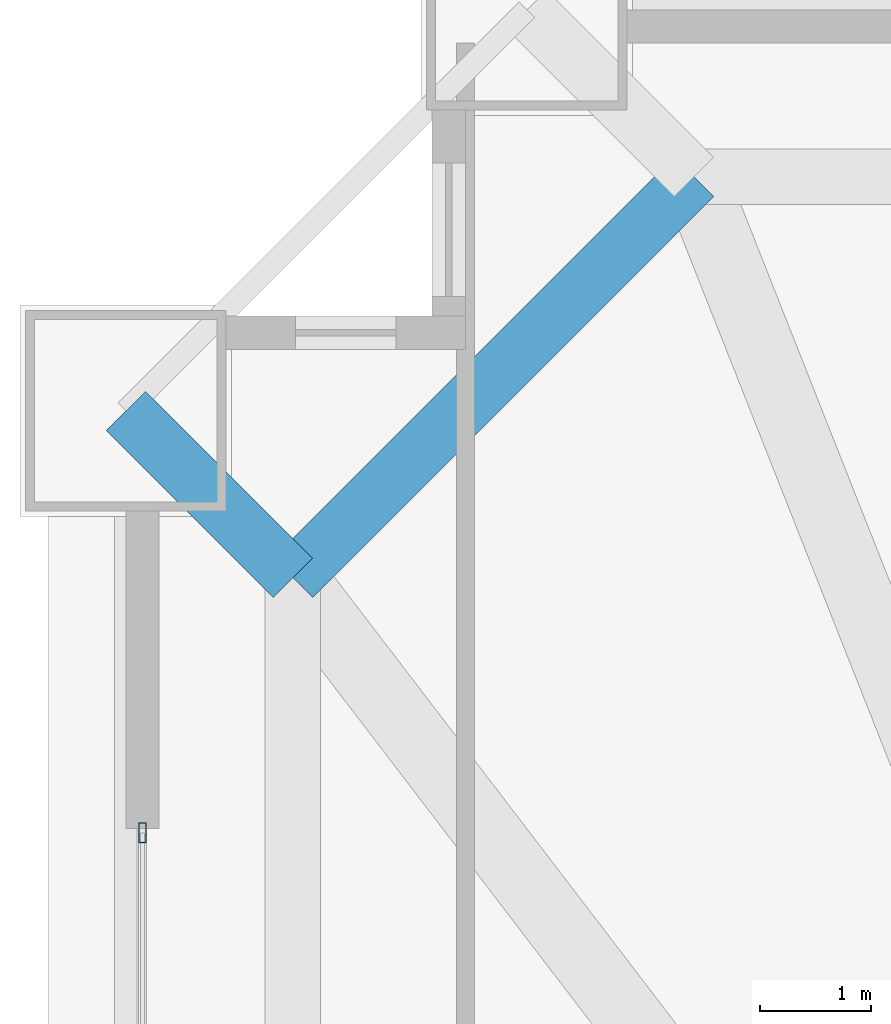
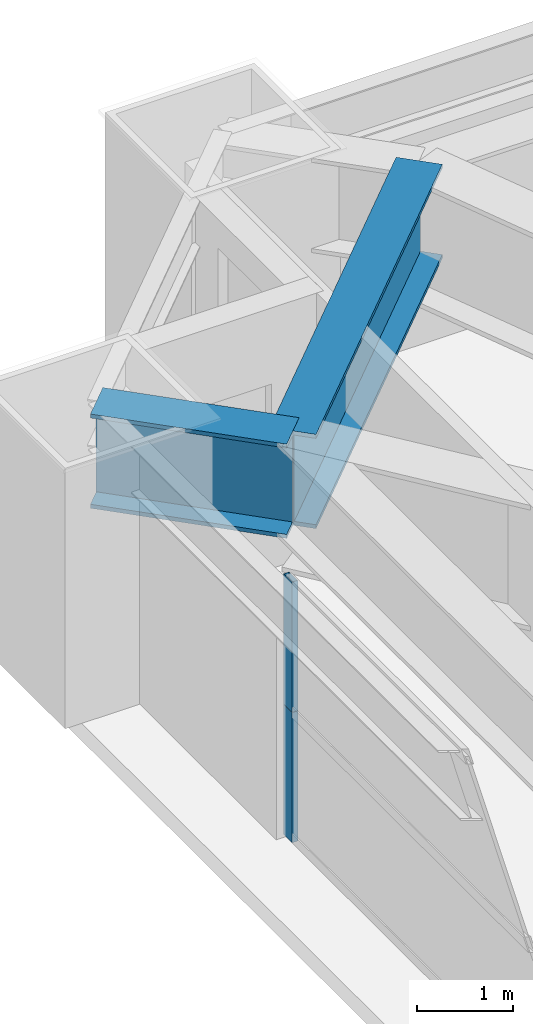
# One storey, part 24 of 44: 2 beams, 2 members, 1 element without a shape of its own.
"""IFC4 building model written with IfcOpenShell, lengths in metres."""

from ifc_helpers import new_model, si_unit, direction, frame, origin, origin_2d, place, context, subcontext, project, spatial, hollow_rectangle, i_section, extrude, source, transform, mapped, material, layer, layer_set, material_profile, profile_set, type_object, element, aggregate, save


model = new_model("IFC4")

# Units and contexts
model_context = context("Model", 3, precision=1e-05, world=origin(), true_north=direction((0.0, 1.0)))
body_context = subcontext(model_context, "Body", "Model", "MODEL_VIEW")
ifc_project = project(units=[si_unit("LENGTHUNIT", "METRE"), si_unit("AREAUNIT", "SQUARE_METRE"), si_unit("VOLUMEUNIT", "CUBIC_METRE"), si_unit("PLANEANGLEUNIT", "RADIAN"), si_unit("MASSUNIT", "GRAM", prefix="KILO"), si_unit("THERMODYNAMICTEMPERATUREUNIT", "KELVIN"), si_unit("POWERUNIT", "WATT")], contexts=[model_context])

# Site, building, storey
site_placement = place(None, origin())
site = spatial("IfcSite", under=ifc_project, at=site_placement, CompositionType="ELEMENT")
building_placement = place(site_placement, origin())
building = spatial("IfcBuilding", under=site, at=building_placement, Name="Yuzanri Waterfront Tower", CompositionType="ELEMENT")
storey_placement = place(building_placement, frame((0.0, 0.0, 82.0)))
storey = spatial("IfcBuildingStorey", under=building, at=storey_placement, Name="L21", CompositionType="ELEMENT", Elevation=82.0)

# Beams
ifc_material_1 = material(Name="Steel Q420GJC", Category="steel")
ifc_material_profile_1 = material_profile(ifc_material_1, i_section(OverallWidth=0.5, OverallDepth=1.199951171875, WebThickness=0.028076171875, FlangeThickness=0.050048828125, at=origin_2d()), Name="PG 1200x500x28x50")
ifc_profile_set_1 = profile_set([ifc_material_profile_1], Name="Steel Q420GJC")
beam_type = type_object("IfcBeamType", Name="Setback Transfer Girder Q420GJC PG 1200x500", PredefinedType="USERDEFINED", material=ifc_profile_set_1)
shared_shape_1 = source(origin(), body_context, "Body", "SweptSolid", [
    extrude(i_section(OverallWidth=0.5, OverallDepth=1.199951171875, WebThickness=0.028076171875, FlangeThickness=0.050048828125, at=origin_2d()), origin(), (0.0, 0.0, 1.0), 2.121337890625),
])
beam_1_placement = place(storey_placement, frame((13.39990234375, 45.800048828125, 2.719970703125), z_axis=(-0.707106781187, 0.707106781187, 0.0), x_axis=(-0.707106781187, -0.707106781187, 0.0)))
element("IfcBeam", 1, at=beam_1_placement, inside=storey, type_object=beam_type, Name="L21 Setback Step Transfer W3", ObjectType="GIRDER", PredefinedType="USERDEFINED", context=body_context, shape_type="MappedRepresentation", body=[
    mapped(shared_shape_1, transform((0.0, 0.0, 0.0), scale=1.0)),
])
shared_shape_2 = source(origin(), body_context, "Body", "SweptSolid", [
    extrude(i_section(OverallWidth=0.5, OverallDepth=1.199951171875, WebThickness=0.028076171875, FlangeThickness=0.050048828125, at=origin_2d()), origin(), (0.0, 0.0, 1.0), 5.091064453125),
])
beam_2_placement = place(storey_placement, frame((17.0, 49.39990234375, 2.719970703125), z_axis=(-0.707130757816, -0.707082803744, 0.0), x_axis=(0.707082803744, -0.707130757816, 0.0)))
element("IfcBeam", 2, at=beam_2_placement, inside=storey, type_object=beam_type, Name="L21 Setback Upper Ring N1-W3", ObjectType="GIRDER", PredefinedType="USERDEFINED", context=body_context, shape_type="MappedRepresentation", body=[
    mapped(shared_shape_2, transform((0.0, 0.0, 0.0), scale=1.0)),
])

# Curtain wall, members
ifc_material_2 = material(Name="Anodized Architectural Bronze", Category="metal")
ifc_layer = layer(ifc_material_2, 0.159912109375)
ifc_layer_set = layer_set([ifc_layer], Name="Anodized Architectural Bronze")
curtain_wall_type = type_object("IfcCurtainWallType", Name="Anodized Bronze Hotel Lower-Tier Recessed Unitized Curtain Wall 8100", PredefinedType="NOTDEFINED", material=ifc_layer_set)
curtain_wall_placement = place(storey_placement, origin())
curtain_wall = element("IfcCurtainWall", 3, at=curtain_wall_placement, inside=storey, type_object=curtain_wall_type, Name="L21 Curtain Wall CW-L21-WR", PredefinedType="NOTDEFINED")
ifc_material_3 = material(Name="Anodized Architectural Bronze", Category="metal")
ifc_material_profile_2 = material_profile(ifc_material_3, hollow_rectangle(XDim=0.070068359375, YDim=0.179931640625, WallThickness=0.00390625, at=origin_2d()), Name="CWM 70x180")
ifc_profile_set_2 = profile_set([ifc_material_profile_2], Name="Anodized Architectural Bronze")
member_type = type_object("IfcMemberType", Name="Anodized Bronze Standard Curtain-Wall Mullion 70x180", PredefinedType="MULLION", material=ifc_profile_set_2)
shared_shape_3 = source(origin(), body_context, "Body", "SweptSolid", [
    extrude(hollow_rectangle(XDim=0.070068359375, YDim=0.179931640625, WallThickness=0.00390625, at=origin_2d()), origin(), (0.0, 0.0, 1.0), 1.657958984375),
])
member_1_placement = place(storey_placement, frame((12.050048828125, 43.510009765625, 0.0), z_axis=(0.0, 0.0, 1.0), x_axis=(1.0, 0.0, 0.0)))
member_1 = element("IfcMember", 4, at=member_1_placement, type_object=member_type, Name="CW-L21-WR Lower Mullion 02", PredefinedType="MULLION", context=body_context, shape_type="MappedRepresentation", body=[
    mapped(shared_shape_3, transform((0.0, 0.0, 0.0), scale=1.0)),
])
member_2_placement = place(storey_placement, frame((12.050048828125, 43.510009765625, 1.662109375), z_axis=(0.0, 0.0, 1.0), x_axis=(1.0, 0.0, 0.0)))
member_2 = element("IfcMember", 5, at=member_2_placement, type_object=member_type, Name="CW-L21-WR Upper Mullion 02", PredefinedType="MULLION", context=body_context, shape_type="MappedRepresentation", body=[
    mapped(shared_shape_3, transform((0.0, 0.0, 0.0), scale=1.0)),
])
aggregate(curtain_wall, [member_1, member_2])

save(model, "model.ifc")
